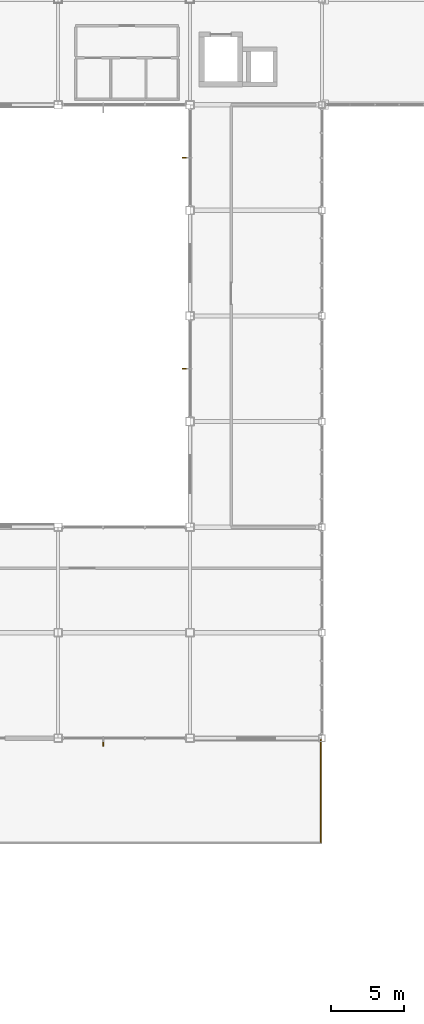
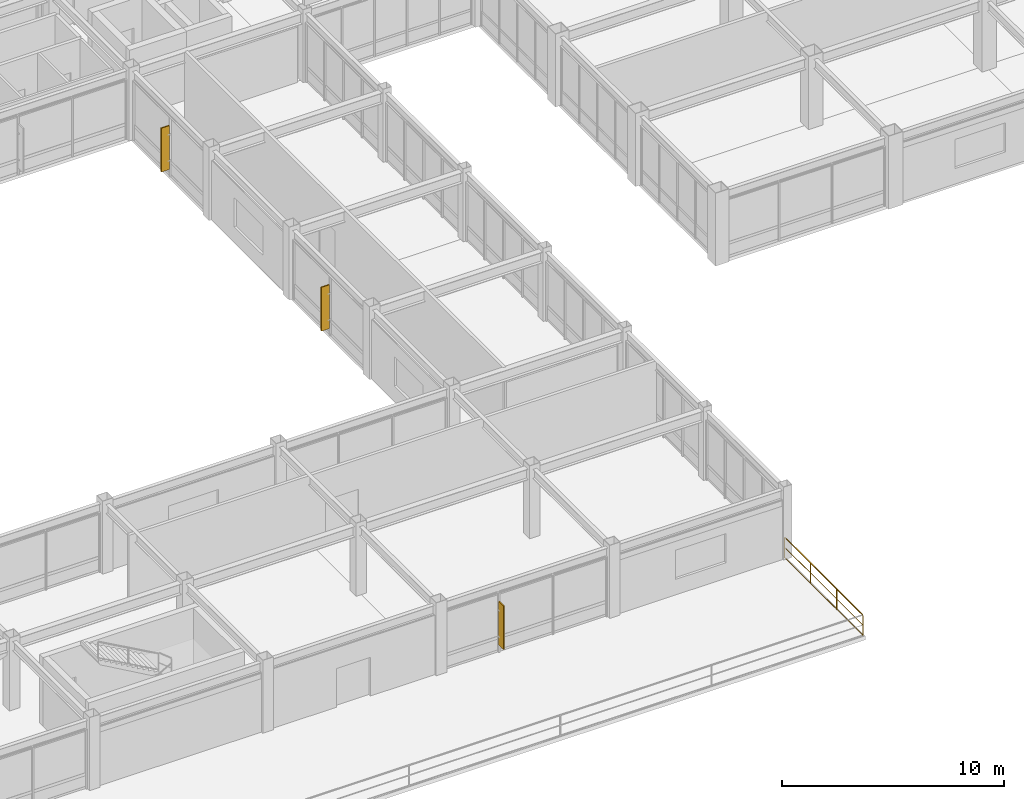
# One storey, part 118 of 122: 3 shading devices, 1 railing.
"""IFC4 building model written with IfcOpenShell, lengths in metres."""

from ifc_helpers import new_model, si_unit, direction, frame, origin, origin_2d, place, context, subcontext, project, spatial, rectangle, extrude, material, type_object, element, save


model = new_model("IFC4")

# Units and contexts
model_context = context("Model", 3, precision=1e-05, world=origin(), true_north=direction((0.0, 1.0)))
body_context = subcontext(model_context, "Body", "Model", "MODEL_VIEW")
ifc_project = project(units=[si_unit("LENGTHUNIT", "METRE"), si_unit("AREAUNIT", "SQUARE_METRE"), si_unit("VOLUMEUNIT", "CUBIC_METRE"), si_unit("PLANEANGLEUNIT", "RADIAN"), si_unit("MASSUNIT", "GRAM", prefix="KILO")], contexts=[model_context])

# Site, building, storey
site_placement = place(None, origin())
site = spatial("IfcSite", under=ifc_project, at=site_placement, CompositionType="ELEMENT")
building_placement = place(site_placement, origin())
building = spatial("IfcBuilding", under=site, at=building_placement, Name="Kazanami Central Library", CompositionType="ELEMENT")
storey_placement = place(building_placement, frame((0.0, 0.0, 4.800048828125)))
storey = spatial("IfcBuildingStorey", under=building, at=storey_placement, Name="L02", CompositionType="ELEMENT", Elevation=4.800048828125)

# Railing
ifc_material_1 = material(Name="Stainless Steel SUS304", Category="steel")
railing_type = type_object("IfcRailingType", Name="RAL-GR-T1", PredefinedType="GUARDRAIL", material=ifc_material_1)
railing_placement = place(storey_placement, frame((107.919921875, 14.47998046875, 0.0)))
element("IfcRailing", 1, at=railing_placement, inside=storey, type_object=railing_type, Name="Terrace Perimeter Guard Waterfront Colonnade Reading Terrace L02 (East)", PredefinedType="GUARDRAIL", context=body_context, shape_type="SweptSolid", body=[
    extrude(rectangle(XDim=0.0439453125, YDim=0.0439453125, at=origin_2d()), frame((0.0, 0.02587890625, 1.1279296875), z_axis=(0.0, 1.0, 0.0), x_axis=(-1.0, 0.0, 0.0)), (0.0, 0.0, 1.0), 6.988037109375),
    extrude(rectangle(XDim=0.02392578125, YDim=0.02392578125, at=origin_2d()), frame((0.0, 0.02587890625, 0.015869140625), z_axis=(0.0, 1.0, 0.0), x_axis=(-1.0, 0.0, 0.0)), (0.0, 0.0, 1.0), 6.988037109375),
    extrude(rectangle(XDim=0.02392578125, YDim=0.02392578125, at=origin_2d()), frame((0.0, 0.02587890625, 0.574951171875), z_axis=(0.0, 1.0, 0.0), x_axis=(-1.0, 0.0, 0.0)), (0.0, 0.0, 1.0), 6.988037109375),
    extrude(rectangle(XDim=0.035888671875, YDim=0.035888671875, at=origin_2d()), origin(), (0.0, 0.0, 1.0), 1.10205078125),
    extrude(rectangle(XDim=0.035888671875, YDim=0.035888671875, at=origin_2d()), frame((0.0, 2.3466796875, 0.0)), (0.0, 0.0, 1.0), 1.10205078125),
    extrude(rectangle(XDim=0.035888671875, YDim=0.035888671875, at=origin_2d()), frame((0.0, 4.693359375, 0.0)), (0.0, 0.0, 1.0), 1.10205078125),
    extrude(rectangle(XDim=0.035888671875, YDim=0.035888671875, at=origin_2d()), frame((0.0, 7.0400390625, 0.0)), (0.0, 0.0, 1.0), 1.10205078125),
])

# Shading devices
ifc_material_2 = material(Name="Anodised Bronze-Grey Aluminium A6063-T5", Category="aluminium")
shading_device_type = type_object("IfcShadingDeviceType", Name="SHD-FIN-2", PredefinedType="USERDEFINED", material=ifc_material_2)
for number, where, z_axis, x_axis, name in (
    (2, (93.091552734375, 21.27001953125, 0.427490234375), (0.0, 0.0, 1.0), (1.0, 0.0, 0.0), "Vertical Solar Fin SF-02 L02 S-D-10.1"),
    (3, (98.669921875, 46.800048828125, 0.427490234375), (0.0, 0.0, 1.0), (0.0, 1.0, 0.0), "Vertical Solar Fin SF-02 L02 W-12-06.1"),
    (4, (98.669921875, 61.199951171875, 0.427490234375), (0.0, 0.0, 1.0), (0.0, 1.0, 0.0), "Vertical Solar Fin SF-02 L02 W-12-08.1"),
):
    element("IfcShadingDevice", number, at=place(storey_placement, frame(where, z_axis=z_axis, x_axis=x_axis)), inside=storey, type_object=shading_device_type, Name=name, ObjectType="SOLAR FIN", PredefinedType="USERDEFINED", context=body_context, shape_type="SweptSolid", body=[
        extrude(rectangle(XDim=0.06494140625, YDim=0.419921875, at=origin_2d()), origin(), (0.0, 0.0, 1.0), 2.39990234375),
    ])

save(model, "model.ifc")
